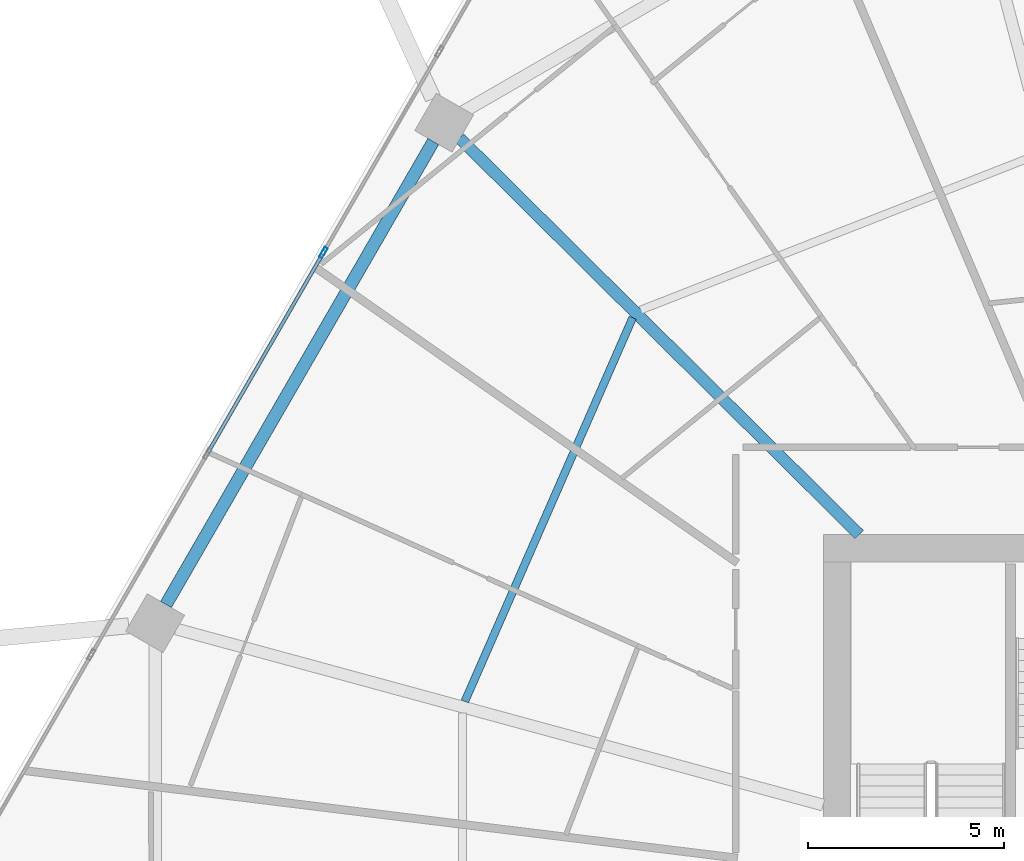
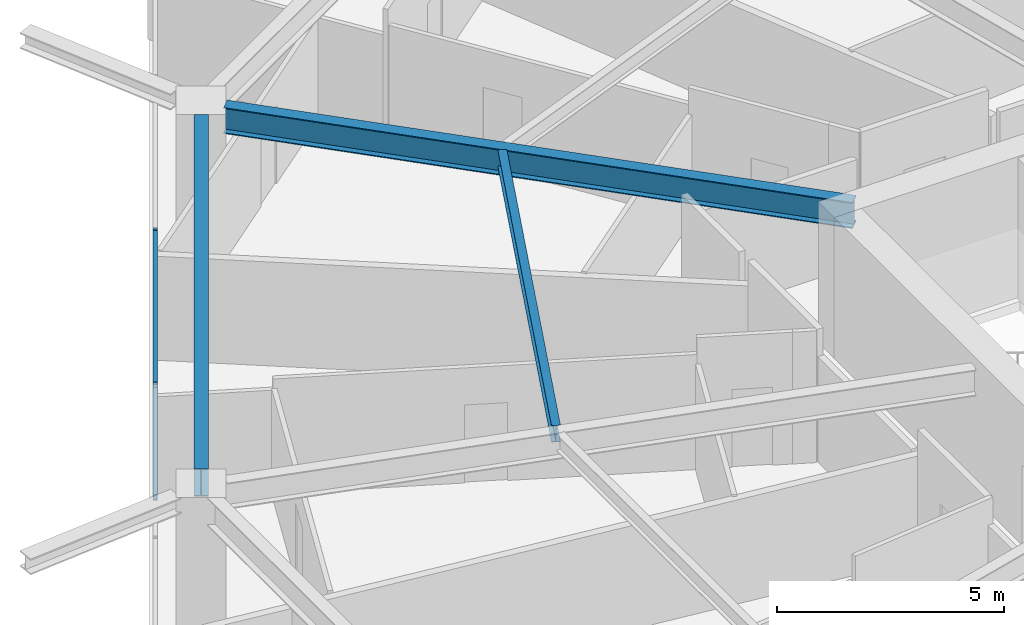
# One storey, part 14 of 33: 3 beams, 3 members, 1 element without a shape of its own.
"""IFC4 building model written with IfcOpenShell, lengths in metres."""

from ifc_helpers import new_model, si_unit, direction, frame, origin, origin_2d, place, context, subcontext, project, spatial, hollow_rectangle, i_section, extrude, material, material_profile, profile_set, type_object, element, aggregate, save


model = new_model("IFC4")

# Units and contexts
model_context = context("Model", 3, precision=1e-05, world=origin(), true_north=direction((0.0, 1.0)))
body_context = subcontext(model_context, "Body", "Model", "MODEL_VIEW")
ifc_project = project(units=[si_unit("LENGTHUNIT", "METRE"), si_unit("AREAUNIT", "SQUARE_METRE"), si_unit("VOLUMEUNIT", "CUBIC_METRE"), si_unit("PLANEANGLEUNIT", "RADIAN"), si_unit("MASSUNIT", "GRAM", prefix="KILO")], contexts=[model_context])

# Site, building, storey
site_placement = place(None, origin())
site = spatial("IfcSite", under=ifc_project, at=site_placement, CompositionType="ELEMENT")
building_placement = place(site_placement, origin())
building = spatial("IfcBuilding", under=site, at=building_placement, Name="Zuhravey Tower", CompositionType="ELEMENT")
storey_placement = place(building_placement, frame((0.0, 0.0, 103.800048828125)))
storey = spatial("IfcBuildingStorey", under=building, at=storey_placement, Name="L25", CompositionType="ELEMENT", Elevation=103.800048828125)

# Curtain wall, members
ifc_material_1 = material(Name="Thermally broken anodised aluminium", Category="aluminium")
curtain_wall_type = type_object("IfcCurtainWallType", Name="Zone 1-2 Residential Curtain Wall CW3", PredefinedType="NOTDEFINED", material=ifc_material_1)
curtain_wall_placement = place(storey_placement, origin())
curtain_wall = element("IfcCurtainWall", 1, at=curtain_wall_placement, inside=storey, type_object=curtain_wall_type, Name="L25 CW3 CW-L25-F3-1", PredefinedType="NOTDEFINED")
ifc_material_2 = material(Name="Anodised aluminium", Category="aluminium")
ifc_material_profile_1 = material_profile(ifc_material_2, hollow_rectangle(XDim=0.090087890625, YDim=0.284912109375, WallThickness=0.0048828125, at=origin_2d()), Name="ALU-RHS-90x285x5")
ifc_profile_set_1 = profile_set([ifc_material_profile_1], Name="Anodised aluminium")
member_type_1 = type_object("IfcMemberType", Name="Curtain-Wall Mullion 90x180", PredefinedType="MULLION", material=ifc_profile_set_1)
member_1_placement = place(storey_placement, frame((12.401123046875, 49.04248046875, 0.0), z_axis=(0.0, 0.0, 1.0), x_axis=(-0.86602552265, 0.499999794119, 0.0)))
member_1 = element("IfcMember", 2, at=member_1_placement, type_object=member_type_1, Name="CW3 mullion 4", PredefinedType="MULLION", context=body_context, shape_type="SweptSolid", body=[
    extrude(hollow_rectangle(XDim=0.090087890625, YDim=0.284912109375, WallThickness=0.0048828125, at=origin_2d()), origin(), (0.0, 0.0, 1.0), 3.1220703125),
])
ifc_material_profile_2 = material_profile(ifc_material_2, hollow_rectangle(XDim=0.090087890625, YDim=0.14990234375, WallThickness=0.0048828125, at=origin_2d()), Name="ALU-RHS-90x150x5")
ifc_profile_set_2 = profile_set([ifc_material_profile_2], Name="Anodised aluminium")
member_type_2 = type_object("IfcMemberType", Name="Curtain-Wall Transom 90x150", PredefinedType="USERDEFINED", material=ifc_profile_set_2)
member_2_placement = place(storey_placement, frame((9.4638671875, 43.954833984375, 0.044921875), z_axis=(0.499981042766, 0.866036348472, 0.0), x_axis=(-0.866036348472, 0.499981042766, 0.0)))
member_2 = element("IfcMember", 3, at=member_2_placement, type_object=member_type_2, Name="CW3 transom 3.1", ObjectType="TRANSOM", PredefinedType="USERDEFINED", context=body_context, shape_type="SweptSolid", body=[
    extrude(hollow_rectangle(XDim=0.090087890625, YDim=0.14990234375, WallThickness=0.0048828125, at=origin_2d()), origin(), (0.0, 0.0, 1.0), 5.829833984375),
])
member_3_placement = place(storey_placement, frame((9.4638671875, 43.954833984375, 3.076904296875), z_axis=(0.499981042766, 0.866036348472, 0.0), x_axis=(-0.866036348472, 0.499981042766, 0.0)))
member_3 = element("IfcMember", 4, at=member_3_placement, type_object=member_type_2, Name="CW3 transom 3.2", ObjectType="TRANSOM", PredefinedType="USERDEFINED", context=body_context, shape_type="SweptSolid", body=[
    extrude(hollow_rectangle(XDim=0.090087890625, YDim=0.14990234375, WallThickness=0.0048828125, at=origin_2d()), origin(), (0.0, 0.0, 1.0), 5.829833984375),
])
aggregate(curtain_wall, [member_1, member_2, member_3])

# Beams
ifc_material_3 = material(Name="Steel SM355", Category="steel")
ifc_material_profile_3 = material_profile(ifc_material_3, i_section(OverallWidth=0.320068359375, OverallDepth=0.75, WebThickness=0.013916015625, FlangeThickness=0.02490234375, at=origin_2d()), Name="H-750x320x14x25")
ifc_profile_set_3 = profile_set([ifc_material_profile_3], Name="Steel SM355")
beam_type_1 = type_object("IfcBeamType", Name="Perimeter Ring Beam H750x320", PredefinedType="BEAM", material=ifc_profile_set_3)
beam_1_placement = place(storey_placement, frame((15.20458984375, 51.8779296875, 3.175048828125), z_axis=(-0.500008177929, -0.866020682204, 0.0), x_axis=(0.866020682204, -0.500008177929, 0.0)))
element("IfcBeam", 5, at=beam_1_placement, inside=storey, type_object=beam_type_1, Name="L25 PB1 BM-L25-PB-05", PredefinedType="BEAM", context=body_context, shape_type="SweptSolid", body=[
    extrude(i_section(OverallWidth=0.320068359375, OverallDepth=0.75, WebThickness=0.013916015625, FlangeThickness=0.02490234375, at=origin_2d()), origin(), (0.0, 0.0, 1.0), 13.634033203125),
])
ifc_material_profile_4 = material_profile(ifc_material_3, i_section(OverallWidth=0.300048828125, OverallDepth=0.699951171875, WebThickness=0.012939453125, FlangeThickness=0.02392578125, at=origin_2d()), Name="H-700x300x13x24")
ifc_profile_set_4 = profile_set([ifc_material_profile_4], Name="Steel SM355")
beam_type_2 = type_object("IfcBeamType", Name="Radial Primary Girder H700x300", PredefinedType="BEAM", material=ifc_profile_set_4)
beam_2_placement = place(storey_placement, frame((26.068603515625, 41.85302734375, 3.199951171875), z_axis=(-0.709906230344, 0.704296204816, 0.0), x_axis=(-0.704296204816, -0.709906230344, 0.0)))
element("IfcBeam", 6, at=beam_2_placement, inside=storey, type_object=beam_type_2, Name="L25 RG1 BM-L25-RAD-05", PredefinedType="BEAM", context=body_context, shape_type="SweptSolid", body=[
    extrude(i_section(OverallWidth=0.300048828125, OverallDepth=0.699951171875, WebThickness=0.012939453125, FlangeThickness=0.02392578125, at=origin_2d()), origin(), (0.0, 0.0, 1.0), 14.361083984375),
])
ifc_material_profile_5 = material_profile(ifc_material_3, i_section(OverallWidth=0.199951171875, OverallDepth=0.449951171875, WebThickness=0.009033203125, FlangeThickness=0.013916015625, at=origin_2d()), Name="H-450x200x9x14")
ifc_profile_set_5 = profile_set([ifc_material_profile_5], Name="Steel SM355")
beam_type_3 = type_object("IfcBeamType", Name="Secondary Floor Joist H450x200", PredefinedType="JOIST", material=ifc_profile_set_5)
beam_3_placement = place(storey_placement, frame((20.28955078125, 47.384033203125, 3.324951171875), z_axis=(-0.400786454617, -0.916171500209, 0.0), x_axis=(0.916171500209, -0.400786454617, 0.0)))
element("IfcBeam", 7, at=beam_3_placement, inside=storey, type_object=beam_type_3, Name="L25 SJ1 BM-L25-SJ-05-1", PredefinedType="JOIST", context=body_context, shape_type="SweptSolid", body=[
    extrude(i_section(OverallWidth=0.199951171875, OverallDepth=0.449951171875, WebThickness=0.009033203125, FlangeThickness=0.013916015625, at=origin_2d()), origin(), (0.0, 0.0, 1.0), 10.6796875),
])

save(model, "model.ifc")
